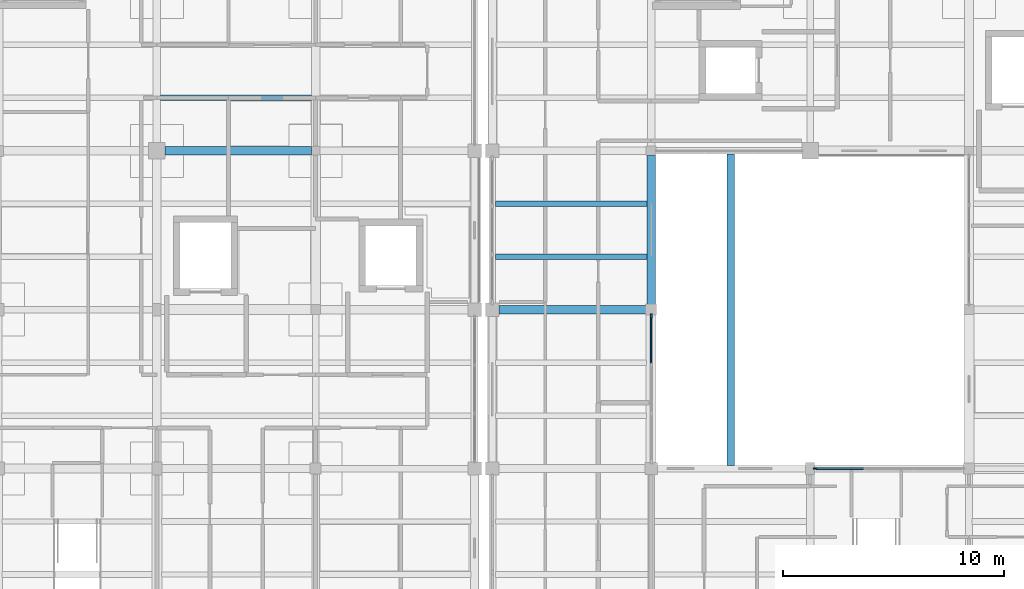
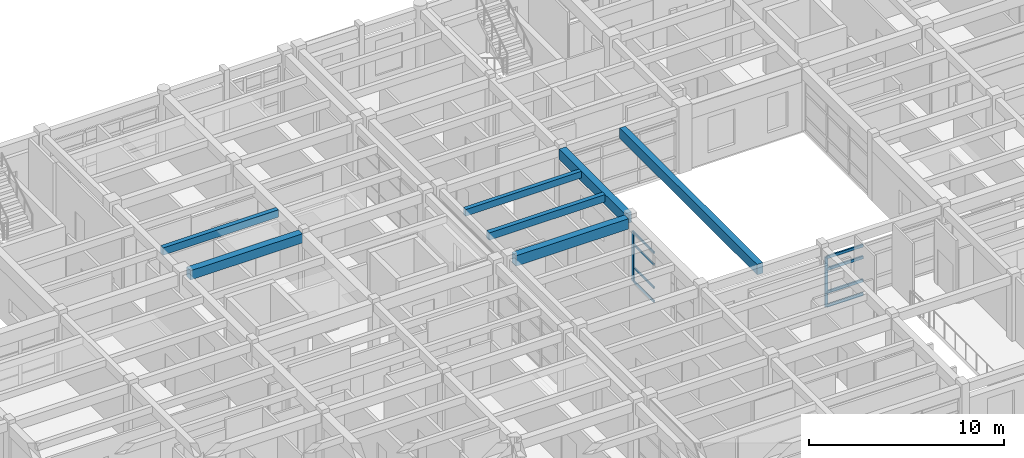
# One storey, part 32 of 110: 10 members, 7 beams, 2 elements without a shape of their own.
"""IFC4 building model written with IfcOpenShell, lengths in metres."""

from ifc_helpers import new_model, si_unit, direction, frame, origin, origin_2d, place, context, subcontext, project, spatial, rectangle, extrude, material, material_profile, profile_set, type_object, element, aggregate, save


model = new_model("IFC4")

# Units and contexts
model_context = context("Model", 3, precision=1e-05, world=origin(), true_north=direction((0.0, 1.0)))
body_context = subcontext(model_context, "Body", "Model", "MODEL_VIEW")
ifc_project = project(units=[si_unit("LENGTHUNIT", "METRE"), si_unit("AREAUNIT", "SQUARE_METRE"), si_unit("VOLUMEUNIT", "CUBIC_METRE"), si_unit("PLANEANGLEUNIT", "RADIAN"), si_unit("MASSUNIT", "GRAM", prefix="KILO")], contexts=[model_context])

# Site, building, storey
site_placement = place(None, origin())
site = spatial("IfcSite", under=ifc_project, at=site_placement, CompositionType="ELEMENT")
building_placement = place(site_placement, origin())
building = spatial("IfcBuilding", under=site, at=building_placement, Name="Steenspoor Specialist Clinic", CompositionType="ELEMENT")
storey_placement = place(building_placement, frame((0.0, 0.0, 4.800048828125)))
storey = spatial("IfcBuildingStorey", under=building, at=storey_placement, Name="L01", CompositionType="ELEMENT", Elevation=4.800048828125)

# Beams
ifc_material_1 = material(Name="Concrete C35/45", Category="concrete")
ifc_material_profile_1 = material_profile(ifc_material_1, rectangle(XDim=0.35009765625, YDim=0.64990234375, at=origin_2d()), Name="RC-BM-350X650")
ifc_profile_set_1 = profile_set([ifc_material_profile_1], Name="Concrete C35/45")
beam_type_1 = type_object("IfcBeamType", Name="BM-RC-350X650", PredefinedType="BEAM", material=ifc_profile_set_1)
beam_1_placement = place(storey_placement, frame((63.199951171875, 79.695068359375, 3.625), z_axis=(0.0, 1.0, 0.0), x_axis=(-1.0, 0.0, 0.0)))
element("IfcBeam", 1, at=beam_1_placement, inside=storey, type_object=beam_type_1, Name="JT-V4-L01-0589", PredefinedType="BEAM", context=body_context, shape_type="SweptSolid", body=[
    extrude(rectangle(XDim=0.35009765625, YDim=0.64990234375, at=origin_2d()), origin(), (0.0, 0.0, 1.0), 14.10986328125),
])
ifc_material_profile_2 = material_profile(ifc_material_1, rectangle(XDim=0.39990234375, YDim=0.580078125, at=origin_2d()), Name="RC-BM-400X580")
ifc_profile_set_2 = profile_set([ifc_material_profile_2], Name="Concrete C35/45")
beam_type_2 = type_object("IfcBeamType", Name="BM-RC-400X580", PredefinedType="BEAM", material=ifc_profile_set_2)
beam_2_placement = place(storey_placement, frame((37.570068359375, 93.949951171875, 3.659912109375), z_axis=(1.0, 0.0, 0.0), x_axis=(0.0, 1.0, 0.0)))
element("IfcBeam", 2, at=beam_2_placement, inside=storey, type_object=beam_type_2, Name="BM-V5-L01-X1171", PredefinedType="BEAM", context=body_context, shape_type="SweptSolid", body=[
    extrude(rectangle(XDim=0.39990234375, YDim=0.580078125, at=origin_2d()), origin(), (0.0, 0.0, 1.0), 6.635009765625),
])
ifc_material_profile_3 = material_profile(ifc_material_1, rectangle(XDim=0.39990234375, YDim=0.64990234375, at=origin_2d()), Name="RC-BM-400X650")
ifc_profile_set_3 = profile_set([ifc_material_profile_3], Name="Concrete C35/45")
beam_type_3 = type_object("IfcBeamType", Name="BM-RC-400X650", PredefinedType="BEAM", material=ifc_profile_set_3)
beam_3_placement = place(storey_placement, frame((52.695068359375, 86.75, 3.625), z_axis=(1.0, 0.0, 0.0), x_axis=(0.0, 1.0, 0.0)))
element("IfcBeam", 3, at=beam_3_placement, inside=storey, type_object=beam_type_3, Name="BM-V4-L01-X0493", PredefinedType="BEAM", context=body_context, shape_type="SweptSolid", body=[
    extrude(rectangle(XDim=0.39990234375, YDim=0.64990234375, at=origin_2d()), origin(), (0.0, 0.0, 1.0), 6.659912109375),
])
beam_4_placement = place(storey_placement, frame((59.60009765625, 86.9951171875, 3.625), z_axis=(0.0, 1.0, 0.0), x_axis=(-1.0, 0.0, 0.0)))
element("IfcBeam", 4, at=beam_4_placement, inside=storey, type_object=beam_type_3, Name="BM-V4-L01-Y0530", PredefinedType="BEAM", context=body_context, shape_type="SweptSolid", body=[
    extrude(rectangle(XDim=0.39990234375, YDim=0.64990234375, at=origin_2d()), origin(), (0.0, 0.0, 1.0), 6.73486328125),
])

# Curtain wall, member
ifc_material_2 = material(Name="Thermally broken aluminium and low-emissivity glass", Category="aluminium")
curtain_wall_type_1 = type_object("IfcCurtainWallType", Name="CW-HALL-650X820", PredefinedType="USERDEFINED", material=ifc_material_2)
curtain_wall_1_placement = place(storey_placement, origin())
curtain_wall_1 = element("IfcCurtainWall", 5, at=curtain_wall_1_placement, inside=storey, type_object=curtain_wall_type_1, Name="Unitised Curtain Wall CW-V4-L01-074", ObjectType="UNITISED GLAZING", PredefinedType="USERDEFINED")
ifc_material_3 = material(Name="Thermally broken aluminium 6063-T6", Category="aluminium")
ifc_material_profile_4 = material_profile(ifc_material_3, rectangle(XDim=0.070068359375, YDim=0.1650390625, at=origin_2d()), Name="CWM-70X165")
ifc_profile_set_4 = profile_set([ifc_material_profile_4], Name="Thermally broken aluminium 6063-T6")
member_type_1 = type_object("IfcMemberType", Name="CW-MULL-70X165", PredefinedType="MULLION", material=ifc_profile_set_4)
member_1_placement = place(storey_placement, frame((67.034912109375, 79.550048828125, 0.0), z_axis=(0.0, 0.0, 1.0), x_axis=(0.0, 1.0, 0.0)))
member_1 = element("IfcMember", 6, at=member_1_placement, type_object=member_type_1, Name="CW-02 mullion 1", PredefinedType="MULLION", context=body_context, shape_type="SweptSolid", body=[
    extrude(rectangle(XDim=0.070068359375, YDim=0.1650390625, at=origin_2d()), origin(), (0.0, 0.0, 1.0), 3.1298828125),
])

# Curtain wall, members
curtain_wall_type_2 = type_object("IfcCurtainWallType", Name="CW-L00-650X415", PredefinedType="USERDEFINED", material=ifc_material_2)
curtain_wall_2_placement = place(storey_placement, origin())
curtain_wall_2 = element("IfcCurtainWall", 7, at=curtain_wall_2_placement, inside=storey, type_object=curtain_wall_type_2, Name="Unitised Curtain Wall CW-V4-L01-077", ObjectType="UNITISED GLAZING", PredefinedType="USERDEFINED")
ifc_material_profile_5 = material_profile(ifc_material_3, rectangle(XDim=0.090087890625, YDim=0.199951171875, at=origin_2d()), Name="CWM-90X200")
ifc_profile_set_5 = profile_set([ifc_material_profile_5], Name="Thermally broken aluminium 6063-T6")
member_type_2 = type_object("IfcMemberType", Name="CW-MULL-90X200", PredefinedType="MULLION", material=ifc_profile_set_5)
member_2_placement = place(storey_placement, frame((59.60009765625, 86.455078125, 0.0), z_axis=(0.0, 0.0, 1.0), x_axis=(1.0, 0.0, 0.0)))
member_2 = element("IfcMember", 8, at=member_2_placement, type_object=member_type_2, Name="CW-05 mullion 1", PredefinedType="MULLION", context=body_context, shape_type="SweptSolid", body=[
    extrude(rectangle(XDim=0.090087890625, YDim=0.199951171875, at=origin_2d()), origin(), (0.0, 0.0, 1.0), 3.1298828125),
])
ifc_material_profile_6 = material_profile(ifc_material_3, rectangle(XDim=0.06494140625, YDim=0.1298828125, at=origin_2d()), Name="CWT-65X130")
ifc_profile_set_6 = profile_set([ifc_material_profile_6], Name="Thermally broken aluminium 6063-T6")
member_type_3 = type_object("IfcMemberType", Name="CW-TRAN-65X130", PredefinedType="USERDEFINED", material=ifc_profile_set_6)
member_3_placement = place(storey_placement, frame((59.60009765625, 86.409912109375, 0.032470703125), z_axis=(0.0, -1.0, 0.0), x_axis=(1.0, 0.0, 0.0)))
member_3 = element("IfcMember", 9, at=member_3_placement, type_object=member_type_3, Name="CW-05 transom 1.1", ObjectType="TRANSOM", PredefinedType="USERDEFINED", context=body_context, shape_type="SweptSolid", body=[
    extrude(rectangle(XDim=0.06494140625, YDim=0.1298828125, at=origin_2d()), origin(), (0.0, 0.0, 1.0), 2.08984375),
])
member_4_placement = place(storey_placement, frame((59.60009765625, 86.409912109375, 0.89990234375), z_axis=(0.0, -1.0, 0.0), x_axis=(1.0, 0.0, 0.0)))
member_4 = element("IfcMember", 10, at=member_4_placement, type_object=member_type_3, Name="CW-05 transom 1.2", ObjectType="TRANSOM", PredefinedType="USERDEFINED", context=body_context, shape_type="SweptSolid", body=[
    extrude(rectangle(XDim=0.06494140625, YDim=0.1298828125, at=origin_2d()), origin(), (0.0, 0.0, 1.0), 2.08984375),
])
member_5_placement = place(storey_placement, frame((59.60009765625, 86.409912109375, 2.349853515625), z_axis=(0.0, -1.0, 0.0), x_axis=(1.0, 0.0, 0.0)))
member_5 = element("IfcMember", 11, at=member_5_placement, type_object=member_type_3, Name="CW-05 transom 1.3", ObjectType="TRANSOM", PredefinedType="USERDEFINED", context=body_context, shape_type="SweptSolid", body=[
    extrude(rectangle(XDim=0.06494140625, YDim=0.1298828125, at=origin_2d()), origin(), (0.0, 0.0, 1.0), 2.08984375),
])
member_6_placement = place(storey_placement, frame((59.60009765625, 86.409912109375, 3.097412109375), z_axis=(0.0, -1.0, 0.0), x_axis=(1.0, 0.0, 0.0)))
member_6 = element("IfcMember", 12, at=member_6_placement, type_object=member_type_3, Name="CW-05 transom 1.4", ObjectType="TRANSOM", PredefinedType="USERDEFINED", context=body_context, shape_type="SweptSolid", body=[
    extrude(rectangle(XDim=0.06494140625, YDim=0.1298828125, at=origin_2d()), origin(), (0.0, 0.0, 1.0), 2.08984375),
])
aggregate(curtain_wall_2, [member_2, member_3, member_4, member_5, member_6])

# Member
ifc_material_profile_7 = material_profile(ifc_material_3, rectangle(XDim=0.090087890625, YDim=0.175048828125, at=origin_2d()), Name="CWT-90X175")
ifc_profile_set_7 = profile_set([ifc_material_profile_7], Name="Thermally broken aluminium 6063-T6")
member_type_4 = type_object("IfcMemberType", Name="CW-TRAN-90X175", PredefinedType="USERDEFINED", material=ifc_profile_set_7)
member_7_placement = place(storey_placement, frame((67.070068359375, 79.550048828125, 0.044921875), z_axis=(1.0, 0.0, 0.0), x_axis=(0.0, 1.0, 0.0)))
member_7 = element("IfcMember", 13, at=member_7_placement, type_object=member_type_4, Name="CW-02 transom 1.1", ObjectType="TRANSOM", PredefinedType="USERDEFINED", context=body_context, shape_type="SweptSolid", body=[
    extrude(rectangle(XDim=0.090087890625, YDim=0.175048828125, at=origin_2d()), origin(), (0.0, 0.0, 1.0), 2.14501953125),
])

member_8_placement = place(storey_placement, frame((67.070068359375, 79.550048828125, 0.89990234375), z_axis=(1.0, 0.0, 0.0), x_axis=(0.0, 1.0, 0.0)))
member_8 = element("IfcMember", 14, at=member_8_placement, type_object=member_type_4, Name="CW-02 transom 1.2", ObjectType="TRANSOM", PredefinedType="USERDEFINED", context=body_context, shape_type="SweptSolid", body=[
    extrude(rectangle(XDim=0.090087890625, YDim=0.175048828125, at=origin_2d()), origin(), (0.0, 0.0, 1.0), 2.14501953125),
])

member_9_placement = place(storey_placement, frame((67.070068359375, 79.550048828125, 2.349853515625), z_axis=(1.0, 0.0, 0.0), x_axis=(0.0, 1.0, 0.0)))
member_9 = element("IfcMember", 15, at=member_9_placement, type_object=member_type_4, Name="CW-02 transom 1.3", ObjectType="TRANSOM", PredefinedType="USERDEFINED", context=body_context, shape_type="SweptSolid", body=[
    extrude(rectangle(XDim=0.090087890625, YDim=0.175048828125, at=origin_2d()), origin(), (0.0, 0.0, 1.0), 2.14501953125),
])

member_10_placement = place(storey_placement, frame((67.070068359375, 79.550048828125, 3.0849609375), z_axis=(1.0, 0.0, 0.0), x_axis=(0.0, 1.0, 0.0)))
member_10 = element("IfcMember", 16, at=member_10_placement, type_object=member_type_4, Name="CW-02 transom 1.4", ObjectType="TRANSOM", PredefinedType="USERDEFINED", context=body_context, shape_type="SweptSolid", body=[
    extrude(rectangle(XDim=0.090087890625, YDim=0.175048828125, at=origin_2d()), origin(), (0.0, 0.0, 1.0), 2.14501953125),
])

aggregate(curtain_wall_1, [member_1, member_7, member_8, member_9, member_10])

# Beams
ifc_material_profile_8 = material_profile(ifc_material_1, rectangle(XDim=0.239990234375, YDim=0.419921875, at=origin_2d()), Name="RC-JT-240X420")
ifc_profile_set_8 = profile_set([ifc_material_profile_8], Name="Concrete C35/45")
beam_type_4 = type_object("IfcBeamType", Name="JT-RC-240X420", PredefinedType="JOIST", material=ifc_profile_set_8)
beam_5_placement = place(storey_placement, frame((52.534912109375, 91.550048828125, 3.739990234375), z_axis=(1.0, 0.0, 0.0), x_axis=(0.0, 1.0, 0.0)))
element("IfcBeam", 17, at=beam_5_placement, inside=storey, type_object=beam_type_4, Name="JT-V4-L01-0580", PredefinedType="JOIST", context=body_context, shape_type="SweptSolid", body=[
    extrude(rectangle(XDim=0.239990234375, YDim=0.419921875, at=origin_2d()), origin(), (0.0, 0.0, 1.0), 6.8701171875),
])
ifc_material_profile_9 = material_profile(ifc_material_1, rectangle(XDim=0.260009765625, YDim=0.4599609375, at=origin_2d()), Name="RC-JT-260X460")
ifc_profile_set_9 = profile_set([ifc_material_profile_9], Name="Concrete C35/45")
beam_type_5 = type_object("IfcBeamType", Name="JT-RC-260X460", PredefinedType="JOIST", material=ifc_profile_set_9)
beam_6_placement = place(storey_placement, frame((52.534912109375, 89.14990234375, 3.719970703125), z_axis=(1.0, 0.0, 0.0), x_axis=(0.0, 1.0, 0.0)))
element("IfcBeam", 18, at=beam_6_placement, inside=storey, type_object=beam_type_5, Name="JT-V4-L01-0579", PredefinedType="JOIST", context=body_context, shape_type="SweptSolid", body=[
    extrude(rectangle(XDim=0.260009765625, YDim=0.4599609375, at=origin_2d()), origin(), (0.0, 0.0, 1.0), 6.8701171875),
])
beam_7_placement = place(storey_placement, frame((37.3701171875, 96.35009765625, 3.719970703125), z_axis=(1.0, 0.0, 0.0), x_axis=(0.0, 1.0, 0.0)))
element("IfcBeam", 19, at=beam_7_placement, inside=storey, type_object=beam_type_5, Name="JT-V5-L01-1235", PredefinedType="JOIST", context=body_context, shape_type="SweptSolid", body=[
    extrude(rectangle(XDim=0.260009765625, YDim=0.4599609375, at=origin_2d()), origin(), (0.0, 0.0, 1.0), 6.8349609375),
])

save(model, "model.ifc")
